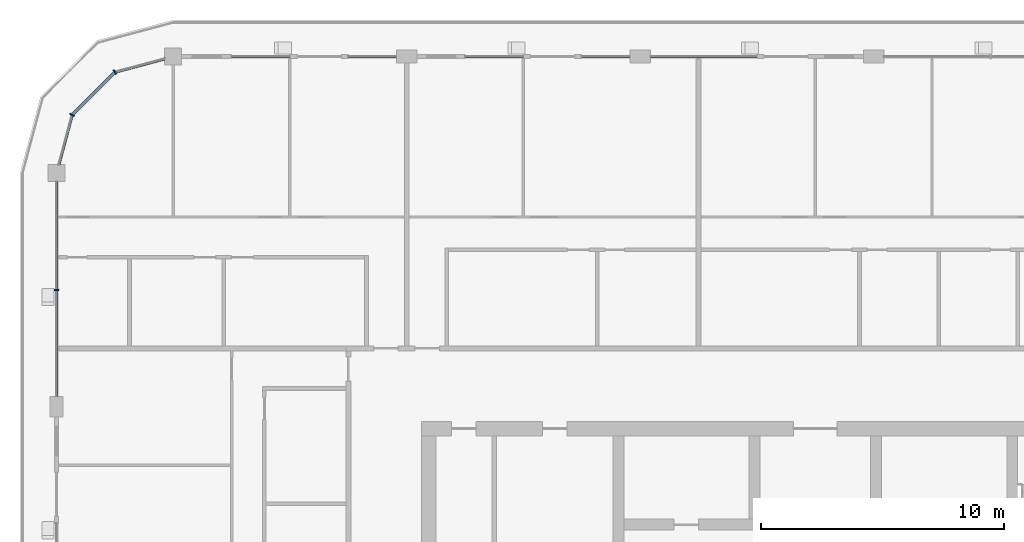
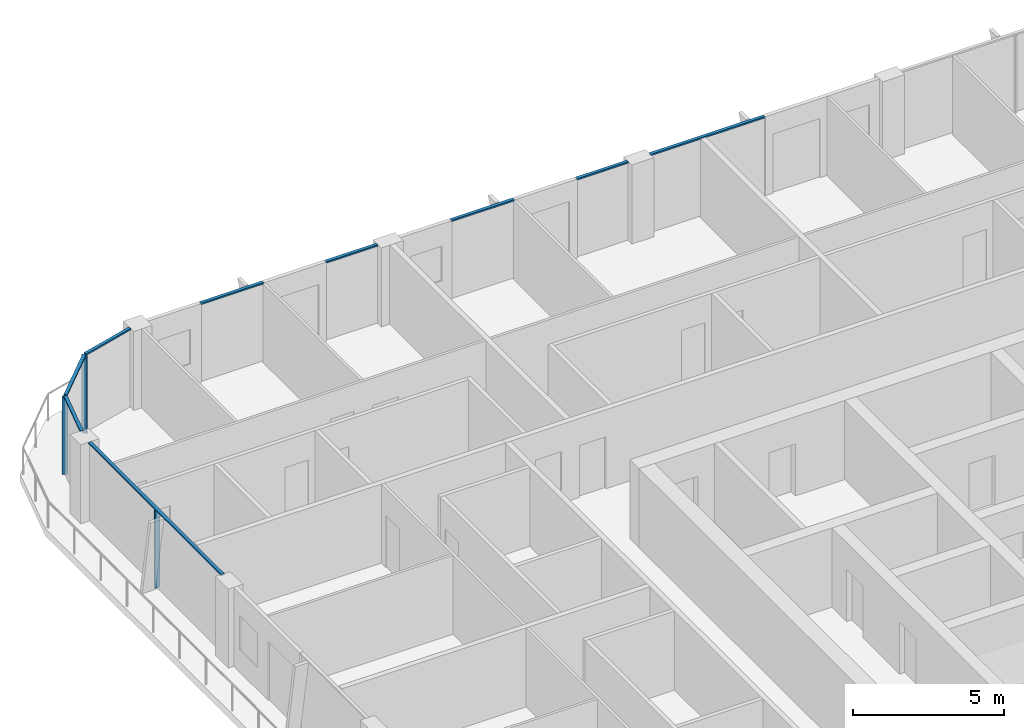
# One storey, part 5 of 21: 12 members, 5 elements without a shape of their own.
"""IFC4 building model written with IfcOpenShell, lengths in metres."""

from ifc_helpers import new_model, si_unit, direction, frame, origin, origin_2d, place, context, subcontext, project, spatial, rectangle, extrude, material, layer, layer_set, material_profile, profile_set, type_object, element, aggregate, save


model = new_model("IFC4")

# Units and contexts
model_context = context("Model", 3, precision=1e-05, world=origin(), true_north=direction((0.0, 1.0)))
body_context = subcontext(model_context, "Body", "Model", "MODEL_VIEW")
ifc_project = project(units=[si_unit("LENGTHUNIT", "METRE"), si_unit("AREAUNIT", "SQUARE_METRE"), si_unit("VOLUMEUNIT", "CUBIC_METRE"), si_unit("PLANEANGLEUNIT", "RADIAN"), si_unit("MASSUNIT", "GRAM", prefix="KILO")], contexts=[model_context])

# Site, building, storey
site_placement = place(None, origin())
site = spatial("IfcSite", under=ifc_project, at=site_placement, CompositionType="ELEMENT")
building_placement = place(site_placement, origin())
building = spatial("IfcBuilding", under=site, at=building_placement, Name="Madar Terraces", CompositionType="ELEMENT")
storey_placement = place(building_placement, frame((0.0, 0.0, 242.199951171875)))
storey = spatial("IfcBuildingStorey", under=building, at=storey_placement, Name="L63", CompositionType="ELEMENT", Elevation=242.199951171875)

# Curtain wall, member
ifc_material_1 = material(Name="Glass, ceramic frit dark grey, with black aluminium frame", Category="aluminium")
ifc_layer = layer(ifc_material_1, 0.199951171875)
ifc_layer_set = layer_set([ifc_layer], Name="Facade curtain wall, fritted glass")
curtain_wall_type = type_object("IfcCurtainWallType", Name="Facade curtain wall, fritted glass", PredefinedType="NOTDEFINED", material=ifc_layer_set)
curtain_wall_1_placement = place(storey_placement, origin())
curtain_wall_1 = element("IfcCurtainWall", 1, at=curtain_wall_1_placement, inside=storey, type_object=curtain_wall_type, Name="Outer skin curtain wall west bay 1", PredefinedType="NOTDEFINED")
ifc_material_2 = material(Name="Aluminium, black anodised", Category="aluminium")
ifc_material_profile_1 = material_profile(ifc_material_2, rectangle(XDim=0.199951171875, YDim=0.06005859375, at=origin_2d()), Name="Facade mullion 60x200")
ifc_profile_set_1 = profile_set([ifc_material_profile_1], Name="Aluminium, black anodised")
member_type_1 = type_object("IfcMemberType", Name="Facade mullion 60x200", PredefinedType="MULLION", material=ifc_profile_set_1)
member_1_placement = place(storey_placement, frame((0.0, 43.199951171875, 0.0), z_axis=(0.0, 0.0, 1.0), x_axis=(1.0, 0.0, 0.0)))
member_1 = element("IfcMember", 2, at=member_1_placement, type_object=member_type_1, Name="Mullion 1", PredefinedType="MULLION", context=body_context, shape_type="SweptSolid", body=[
    extrude(rectangle(XDim=0.199951171875, YDim=0.06005859375, at=origin_2d()), origin(), (0.0, 0.0, 1.0), 3.14013671875),
])

# Curtain wall, members
curtain_wall_2_placement = place(storey_placement, origin())
curtain_wall_2 = element("IfcCurtainWall", 3, at=curtain_wall_2_placement, inside=storey, type_object=curtain_wall_type, Name="Outer skin curtain wall north-west corner", PredefinedType="NOTDEFINED")
member_2_placement = place(storey_placement, frame((2.39990234375, 52.156982421875, 0.0), z_axis=(0.0, 0.0, 1.0), x_axis=(0.499999989586, -0.866025409797, 0.0)))
member_2 = element("IfcMember", 4, at=member_2_placement, type_object=member_type_1, Name="Mullion 1", PredefinedType="MULLION", context=body_context, shape_type="SweptSolid", body=[
    extrude(rectangle(XDim=0.199951171875, YDim=0.06005859375, at=origin_2d()), origin(), (0.0, 0.0, 1.0), 3.14013671875),
])
member_3_placement = place(storey_placement, frame((0.64306640625, 50.39990234375, 0.0), z_axis=(0.0, 0.0, 1.0), x_axis=(0.866025409797, -0.499999989586, 0.0)))
member_3 = element("IfcMember", 5, at=member_3_placement, type_object=member_type_1, Name="Mullion 2", PredefinedType="MULLION", context=body_context, shape_type="SweptSolid", body=[
    extrude(rectangle(XDim=0.199951171875, YDim=0.06005859375, at=origin_2d()), origin(), (0.0, 0.0, 1.0), 3.14013671875),
])

# Curtain wall, member
curtain_wall_3_placement = place(storey_placement, origin())
curtain_wall_3 = element("IfcCurtainWall", 6, at=curtain_wall_3_placement, inside=storey, type_object=curtain_wall_type, Name="Outer skin curtain wall north bay 3", PredefinedType="NOTDEFINED")
ifc_material_3 = material(Name="Aluminium, black anodised", Category="aluminium")
ifc_material_profile_2 = material_profile(ifc_material_3, rectangle(XDim=0.1201171875, YDim=0.06005859375, at=origin_2d()), Name="Facade transom 60x120")
ifc_profile_set_2 = profile_set([ifc_material_profile_2], Name="Aluminium, black anodised")
member_type_2 = type_object("IfcMemberType", Name="Facade transom 60x120", PredefinedType="USERDEFINED", material=ifc_profile_set_2)
member_4_placement = place(storey_placement, frame((28.800048828125, 52.800048828125, 3.170166015625), z_axis=(-1.0, 0.0, 0.0), x_axis=(0.0, -1.0, 0.0)))
member_4 = element("IfcMember", 7, at=member_4_placement, type_object=member_type_2, Name="Transom 1", ObjectType="TRANSOM", PredefinedType="USERDEFINED", context=body_context, shape_type="SweptSolid", body=[
    extrude(rectangle(XDim=0.1201171875, YDim=0.06005859375, at=origin_2d()), origin(), (0.0, 0.0, 1.0), 4.375),
])
aggregate(curtain_wall_3, [member_4])

# Curtain wall, members
curtain_wall_4_placement = place(storey_placement, origin())
curtain_wall_4 = element("IfcCurtainWall", 8, at=curtain_wall_4_placement, inside=storey, type_object=curtain_wall_type, Name="Outer skin curtain wall north bay 4", PredefinedType="NOTDEFINED")
member_5_placement = place(storey_placement, frame((23.574951171875, 52.800048828125, 3.170166015625), z_axis=(-1.0, 0.0, 0.0), x_axis=(0.0, -1.0, 0.0)))
member_5 = element("IfcMember", 9, at=member_5_placement, type_object=member_type_2, Name="Transom 1", ObjectType="TRANSOM", PredefinedType="USERDEFINED", context=body_context, shape_type="SweptSolid", body=[
    extrude(rectangle(XDim=0.1201171875, YDim=0.06005859375, at=origin_2d()), origin(), (0.0, 0.0, 1.0), 1.974853515625),
])
member_6_placement = place(storey_placement, frame((19.199951171875, 52.800048828125, 3.170166015625), z_axis=(-1.0, 0.0, 0.0), x_axis=(0.0, -1.0, 0.0)))
member_6 = element("IfcMember", 10, at=member_6_placement, type_object=member_type_2, Name="Transom 2", ObjectType="TRANSOM", PredefinedType="USERDEFINED", context=body_context, shape_type="SweptSolid", body=[
    extrude(rectangle(XDim=0.1201171875, YDim=0.06005859375, at=origin_2d()), origin(), (0.0, 0.0, 1.0), 2.39990234375),
])
aggregate(curtain_wall_4, [member_5, member_6])

curtain_wall_5_placement = place(storey_placement, origin())
curtain_wall_5 = element("IfcCurtainWall", 11, at=curtain_wall_5_placement, inside=storey, type_object=curtain_wall_type, Name="Outer skin curtain wall north bay 5", PredefinedType="NOTDEFINED")
member_7_placement = place(storey_placement, frame((13.97509765625, 52.800048828125, 3.170166015625), z_axis=(-1.0, 0.0, 0.0), x_axis=(0.0, -1.0, 0.0)))
member_7 = element("IfcMember", 12, at=member_7_placement, type_object=member_type_2, Name="Transom 1", ObjectType="TRANSOM", PredefinedType="USERDEFINED", context=body_context, shape_type="SweptSolid", body=[
    extrude(rectangle(XDim=0.1201171875, YDim=0.06005859375, at=origin_2d()), origin(), (0.0, 0.0, 1.0), 1.97509765625),
])
member_8_placement = place(storey_placement, frame((9.60009765625, 52.800048828125, 3.170166015625), z_axis=(-1.0, 0.0, 0.0), x_axis=(0.0, -1.0, 0.0)))
member_8 = element("IfcMember", 13, at=member_8_placement, type_object=member_type_2, Name="Transom 2", ObjectType="TRANSOM", PredefinedType="USERDEFINED", context=body_context, shape_type="SweptSolid", body=[
    extrude(rectangle(XDim=0.1201171875, YDim=0.06005859375, at=origin_2d()), origin(), (0.0, 0.0, 1.0), 2.400146484375),
])
aggregate(curtain_wall_5, [member_7, member_8])

# Member
member_9_placement = place(storey_placement, frame((0.0, 47.64990234375, 3.170166015625), z_axis=(0.0, -1.0, 0.0), x_axis=(1.0, 0.0, 0.0)))
member_9 = element("IfcMember", 14, at=member_9_placement, type_object=member_type_2, Name="Transom 1", ObjectType="TRANSOM", PredefinedType="USERDEFINED", context=body_context, shape_type="SweptSolid", body=[
    extrude(rectangle(XDim=0.1201171875, YDim=0.06005859375, at=origin_2d()), origin(), (0.0, 0.0, 1.0), 8.824951171875),
])

aggregate(curtain_wall_1, [member_1, member_9])

member_10_placement = place(storey_placement, frame((4.449951171875, 52.706298828125, 3.170166015625), z_axis=(-0.965928259589, -0.258809963731, 0.0), x_axis=(0.258809963731, -0.965928259589, 0.0)))
member_10 = element("IfcMember", 15, at=member_10_placement, type_object=member_type_2, Name="Transom 1", ObjectType="TRANSOM", PredefinedType="USERDEFINED", context=body_context, shape_type="SweptSolid", body=[
    extrude(rectangle(XDim=0.1201171875, YDim=0.06005859375, at=origin_2d()), origin(), (0.0, 0.0, 1.0), 2.09228515625),
])

member_11_placement = place(storey_placement, frame((2.37890625, 52.1357421875, 3.170166015625), z_axis=(-0.707106781187, -0.707106781187, 0.0), x_axis=(0.707106781187, -0.707106781187, 0.0)))
member_11 = element("IfcMember", 16, at=member_11_placement, type_object=member_type_2, Name="Transom 2", ObjectType="TRANSOM", PredefinedType="USERDEFINED", context=body_context, shape_type="SweptSolid", body=[
    extrude(rectangle(XDim=0.1201171875, YDim=0.06005859375, at=origin_2d()), origin(), (0.0, 0.0, 1.0), 2.4248046875),
])

member_12_placement = place(storey_placement, frame((0.63525390625, 50.37109375, 3.170166015625), z_axis=(-0.258809963731, -0.965928259589, 0.0), x_axis=(0.965928259589, -0.258809963731, 0.0)))
member_12 = element("IfcMember", 17, at=member_12_placement, type_object=member_type_2, Name="Transom 3", ObjectType="TRANSOM", PredefinedType="USERDEFINED", context=body_context, shape_type="SweptSolid", body=[
    extrude(rectangle(XDim=0.1201171875, YDim=0.06005859375, at=origin_2d()), origin(), (0.0, 0.0, 1.0), 2.09228515625),
])

aggregate(curtain_wall_2, [member_2, member_10, member_3, member_11, member_12])

save(model, "model.ifc")
